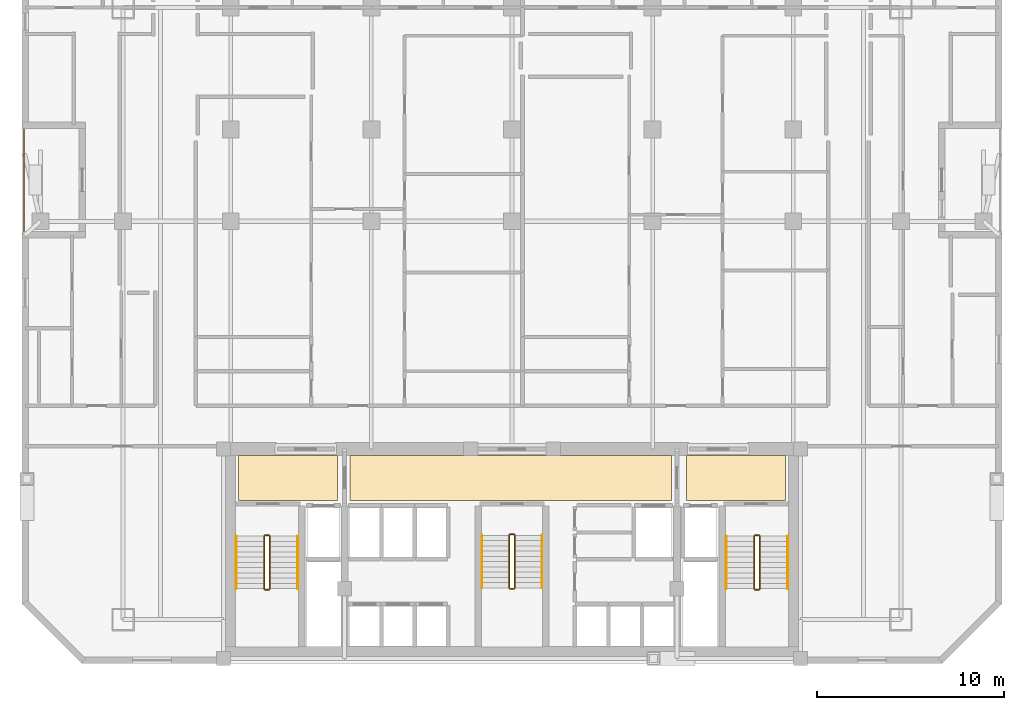
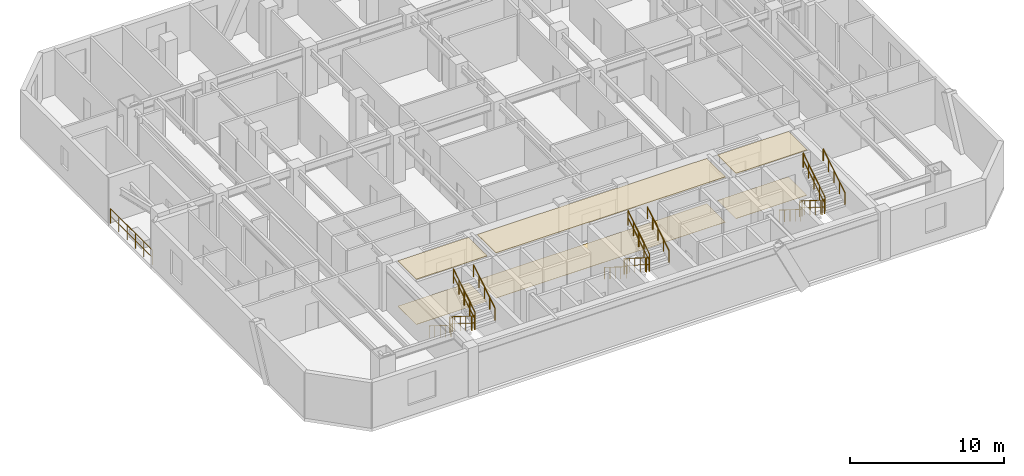
# One storey, part 9 of 10: 19 railings, 6 coverings.
"""IFC4 building model written with IfcOpenShell, lengths in metres."""

from ifc_helpers import new_model, si_unit, direction, frame, origin, origin_2d, place, context, subcontext, project, spatial, polyline, circle, outline, extrude, material, layer, layer_set, type_object, element, save


model = new_model("IFC4")

# Units and contexts
model_context = context("Model", 3, precision=1e-05, world=origin(), true_north=direction((0.0, 1.0)))
body_context = subcontext(model_context, "Body", "Model", "MODEL_VIEW")
ifc_project = project(units=[si_unit("LENGTHUNIT", "METRE"), si_unit("AREAUNIT", "SQUARE_METRE"), si_unit("VOLUMEUNIT", "CUBIC_METRE"), si_unit("PLANEANGLEUNIT", "RADIAN"), si_unit("MASSUNIT", "GRAM", prefix="KILO")], contexts=[model_context])

# Site, building, storey
site_placement = place(None, origin())
site = spatial("IfcSite", under=ifc_project, at=site_placement, CompositionType="ELEMENT")
building_placement = place(site_placement, origin())
building = spatial("IfcBuilding", under=site, at=building_placement, Name="Ventersveld Concourse Tower", CompositionType="ELEMENT")
storey_placement = place(building_placement, frame((0.0, 0.0, 104.14990234375)))
storey = spatial("IfcBuildingStorey", under=building, at=storey_placement, Name="L25", CompositionType="ELEMENT", Elevation=104.14990234375)

# Coverings
ifc_material_1 = material(Name="Mineral-fibre acoustic ceiling tile", Category="gypsum")
ifc_layer_1 = layer(ifc_material_1, 0.0400390625)
ifc_layer_set_1 = layer_set([ifc_layer_1], Name="Mineral-fibre acoustic ceiling tile")
covering_type_1 = type_object("IfcCoveringType", Name="COV-CEIL-ACOUSTIC", PredefinedType="CEILING", material=ifc_layer_set_1)
covering_1_placement = place(storey_placement, frame((0.0, 0.0, 3.56005859375)))
element("IfcCovering", 1, at=covering_1_placement, inside=storey, type_object=covering_type_1, Name="L25 North Lift Lobby Acoustic Ceiling", PredefinedType="CEILING", context=body_context, shape_type="SweptSolid", body=[
    extrude(outline(polyline([(20.10009765625, 8.699951171875), (37.25, 8.699951171875), (37.25, 11.10009765625), (20.10009765625, 11.10009765625), (20.10009765625, 8.699951171875)])), origin(), (0.0, 0.0, 1.0), 0.0400390625),
])
covering_2_placement = place(storey_placement, frame((0.0, 0.0, 3.56005859375)))
element("IfcCovering", 2, at=covering_2_placement, inside=storey, type_object=covering_type_1, Name="L25 West Firefighting Lobby Acoustic Ceiling", PredefinedType="CEILING", context=body_context, shape_type="SweptSolid", body=[
    extrude(outline(polyline([(14.14990234375, 8.699951171875), (19.449951171875, 8.699951171875), (19.449951171875, 11.10009765625), (14.14990234375, 11.10009765625), (14.14990234375, 8.699951171875)])), origin(), (0.0, 0.0, 1.0), 0.0400390625),
])
covering_3_placement = place(storey_placement, frame((0.0, 0.0, 3.56005859375)))
element("IfcCovering", 3, at=covering_3_placement, inside=storey, type_object=covering_type_1, Name="L25 East Firefighting Lobby Acoustic Ceiling", PredefinedType="CEILING", context=body_context, shape_type="SweptSolid", body=[
    extrude(outline(polyline([(38.050048828125, 8.699951171875), (43.35009765625, 8.699951171875), (43.35009765625, 11.10009765625), (38.050048828125, 11.10009765625), (38.050048828125, 8.699951171875)])), origin(), (0.0, 0.0, 1.0), 0.0400390625),
])
ifc_material_2 = material(Name="Polished Highveld granite terrazzo", Category="masonry")
ifc_layer_2 = layer(ifc_material_2, 0.02001953125)
ifc_layer_set_2 = layer_set([ifc_layer_2], Name="Polished Highveld granite terrazzo")
covering_type_2 = type_object("IfcCoveringType", Name="COV-FLOOR-TERRAZZO", PredefinedType="FLOORING", material=ifc_layer_set_2)
covering_4_placement = place(storey_placement, origin())
element("IfcCovering", 4, at=covering_4_placement, inside=storey, type_object=covering_type_2, Name="L25 North Lift Lobby Terrazzo Flooring", PredefinedType="FLOORING", context=body_context, shape_type="SweptSolid", body=[
    extrude(outline(polyline([(20.10009765625, 8.699951171875), (37.25, 8.699951171875), (37.25, 11.10009765625), (20.10009765625, 11.10009765625), (20.10009765625, 8.699951171875)])), origin(), (0.0, 0.0, 1.0), 0.02001953125),
])
covering_5_placement = place(storey_placement, origin())
element("IfcCovering", 5, at=covering_5_placement, inside=storey, type_object=covering_type_2, Name="L25 West Firefighting Lobby Terrazzo Flooring", PredefinedType="FLOORING", context=body_context, shape_type="SweptSolid", body=[
    extrude(outline(polyline([(14.14990234375, 8.699951171875), (19.449951171875, 8.699951171875), (19.449951171875, 11.10009765625), (14.14990234375, 11.10009765625), (14.14990234375, 8.699951171875)])), origin(), (0.0, 0.0, 1.0), 0.02001953125),
])
covering_6_placement = place(storey_placement, origin())
element("IfcCovering", 6, at=covering_6_placement, inside=storey, type_object=covering_type_2, Name="L25 East Firefighting Lobby Terrazzo Flooring", PredefinedType="FLOORING", context=body_context, shape_type="SweptSolid", body=[
    extrude(outline(polyline([(38.050048828125, 8.699951171875), (43.35009765625, 8.699951171875), (43.35009765625, 11.10009765625), (38.050048828125, 11.10009765625), (38.050048828125, 8.699951171875)])), origin(), (0.0, 0.0, 1.0), 0.02001953125),
])

# Railings
ifc_material_3 = material(Name="Brushed stainless steel 316", Category="steel")
railing_type_1 = type_object("IfcRailingType", Name="GD-BAL-115", PredefinedType="GUARDRAIL", material=ifc_material_3)
railing_1_placement = place(storey_placement, frame((15.530029296875, 6.800048828125, 0.175048828125)))
element("IfcRailing", 7, at=railing_1_placement, inside=storey, type_object=railing_type_1, Name="L25 ST-01 stair guard 1", PredefinedType="GUARDRAIL", context=body_context, shape_type="SweptSolid", body=[
    extrude(circle(Radius=0.02392578125, at=origin_2d()), frame((0.0, 0.0, 1.1259765625), z_axis=(0.0, -0.848002457836, 0.529992293815), x_axis=(1.0, 0.0, 0.0)), (0.0, 0.0, 1.0), 3.302001953125),
    extrude(circle(Radius=0.01611328125, at=origin_2d()), frame((0.0, 0.0, 0.574951171875), z_axis=(0.0, -0.848002457836, 0.529992293815), x_axis=(1.0, 0.0, 0.0)), (0.0, 0.0, 1.0), 3.302001953125),
    extrude(circle(Radius=0.02099609375, at=origin_2d()), origin(), (0.0, 0.0, 1.0), 1.101806640625),
    extrude(circle(Radius=0.02099609375, at=origin_2d()), frame((0.0, -0.699951171875, 0.4375)), (0.0, 0.0, 1.0), 1.101806640625),
    extrude(circle(Radius=0.02099609375, at=origin_2d()), frame((0.0, -1.39990234375, 0.875)), (0.0, 0.0, 1.0), 1.101806640625),
    extrude(circle(Radius=0.02099609375, at=origin_2d()), frame((0.0, -2.10009765625, 1.3125)), (0.0, 0.0, 1.0), 1.101806640625),
    extrude(circle(Radius=0.02099609375, at=origin_2d()), frame((0.0, -2.800048828125, 1.75)), (0.0, 0.0, 1.0), 1.101806640625),
])
railing_2_placement = place(storey_placement, frame((15.580078125, 3.949951171875, 1.925048828125)))
element("IfcRailing", 8, at=railing_2_placement, inside=storey, type_object=railing_type_1, Name="L25 ST-01 stair guard 2", PredefinedType="GUARDRAIL", context=body_context, shape_type="SweptSolid", body=[
    extrude(circle(Radius=0.02392578125, at=origin_2d()), frame((0.0, 0.0, 1.1259765625), z_axis=(1.0, 0.0, 0.0), x_axis=(0.0, 1.0, 0.0)), (0.0, 0.0, 1.0), 0.199951171875),
    extrude(circle(Radius=0.01611328125, at=origin_2d()), frame((0.0, 0.0, 0.574951171875), z_axis=(1.0, 0.0, 0.0), x_axis=(0.0, 1.0, 0.0)), (0.0, 0.0, 1.0), 0.199951171875),
    extrude(circle(Radius=0.02099609375, at=origin_2d()), origin(), (0.0, 0.0, 1.0), 1.101806640625),
    extrude(circle(Radius=0.02099609375, at=origin_2d()), frame((0.199951171875, 0.0, 0.0)), (0.0, 0.0, 1.0), 1.101806640625),
])
railing_3_placement = place(storey_placement, frame((15.830078125, 4.0, 2.10009765625)))
element("IfcRailing", 9, at=railing_3_placement, inside=storey, type_object=railing_type_1, Name="L25 ST-01 stair guard 3", PredefinedType="GUARDRAIL", context=body_context, shape_type="SweptSolid", body=[
    extrude(circle(Radius=0.02392578125, at=origin_2d()), frame((0.0, 0.0, 1.1259765625), z_axis=(0.0, 0.848002457836, 0.529992293815), x_axis=(-1.0, 0.0, 0.0)), (0.0, 0.0, 1.0), 3.302001953125),
    extrude(circle(Radius=0.01611328125, at=origin_2d()), frame((0.0, 0.0, 0.574951171875), z_axis=(0.0, 0.848002457836, 0.529992293815), x_axis=(-1.0, 0.0, 0.0)), (0.0, 0.0, 1.0), 3.302001953125),
    extrude(circle(Radius=0.02099609375, at=origin_2d()), origin(), (0.0, 0.0, 1.0), 1.101806640625),
    extrude(circle(Radius=0.02099609375, at=origin_2d()), frame((0.0, 0.699951171875, 0.4375)), (0.0, 0.0, 1.0), 1.101806640625),
    extrude(circle(Radius=0.02099609375, at=origin_2d()), frame((0.0, 1.39990234375, 0.875)), (0.0, 0.0, 1.0), 1.101806640625),
    extrude(circle(Radius=0.02099609375, at=origin_2d()), frame((0.0, 2.10009765625, 1.3125)), (0.0, 0.0, 1.0), 1.101806640625),
    extrude(circle(Radius=0.02099609375, at=origin_2d()), frame((0.0, 2.800048828125, 1.75)), (0.0, 0.0, 1.0), 1.101806640625),
])
railing_4_placement = place(storey_placement, frame((15.580078125, 6.85009765625, 0.0)))
element("IfcRailing", 10, at=railing_4_placement, inside=storey, type_object=railing_type_1, Name="L25 ST-01 stair guard 4", PredefinedType="GUARDRAIL", context=body_context, shape_type="SweptSolid", body=[
    extrude(circle(Radius=0.02392578125, at=origin_2d()), frame((0.0, 0.0, 1.1259765625), z_axis=(1.0, 0.0, 0.0), x_axis=(0.0, 1.0, 0.0)), (0.0, 0.0, 1.0), 0.199951171875),
    extrude(circle(Radius=0.01611328125, at=origin_2d()), frame((0.0, 0.0, 0.574951171875), z_axis=(1.0, 0.0, 0.0), x_axis=(0.0, 1.0, 0.0)), (0.0, 0.0, 1.0), 0.199951171875),
    extrude(circle(Radius=0.02099609375, at=origin_2d()), origin(), (0.0, 0.0, 1.0), 1.101806640625),
    extrude(circle(Radius=0.02099609375, at=origin_2d()), frame((0.199951171875, 0.0, 0.0)), (0.0, 0.0, 1.0), 1.101806640625),
])
railing_5_placement = place(storey_placement, frame((41.669921875, 6.800048828125, 0.175048828125)))
element("IfcRailing", 11, at=railing_5_placement, inside=storey, type_object=railing_type_1, Name="L25 ST-02 stair guard 1", PredefinedType="GUARDRAIL", context=body_context, shape_type="SweptSolid", body=[
    extrude(circle(Radius=0.02392578125, at=origin_2d()), frame((0.0, 0.0, 1.1259765625), z_axis=(0.0, -0.848002457836, 0.529992293815), x_axis=(1.0, 0.0, 0.0)), (0.0, 0.0, 1.0), 3.302001953125),
    extrude(circle(Radius=0.01611328125, at=origin_2d()), frame((0.0, 0.0, 0.574951171875), z_axis=(0.0, -0.848002457836, 0.529992293815), x_axis=(1.0, 0.0, 0.0)), (0.0, 0.0, 1.0), 3.302001953125),
    extrude(circle(Radius=0.02099609375, at=origin_2d()), origin(), (0.0, 0.0, 1.0), 1.101806640625),
    extrude(circle(Radius=0.02099609375, at=origin_2d()), frame((0.0, -0.699951171875, 0.4375)), (0.0, 0.0, 1.0), 1.101806640625),
    extrude(circle(Radius=0.02099609375, at=origin_2d()), frame((0.0, -1.39990234375, 0.875)), (0.0, 0.0, 1.0), 1.101806640625),
    extrude(circle(Radius=0.02099609375, at=origin_2d()), frame((0.0, -2.10009765625, 1.3125)), (0.0, 0.0, 1.0), 1.101806640625),
    extrude(circle(Radius=0.02099609375, at=origin_2d()), frame((0.0, -2.800048828125, 1.75)), (0.0, 0.0, 1.0), 1.101806640625),
])
railing_6_placement = place(storey_placement, frame((41.719970703125, 3.949951171875, 1.925048828125)))
element("IfcRailing", 12, at=railing_6_placement, inside=storey, type_object=railing_type_1, Name="L25 ST-02 stair guard 2", PredefinedType="GUARDRAIL", context=body_context, shape_type="SweptSolid", body=[
    extrude(circle(Radius=0.02392578125, at=origin_2d()), frame((0.0, 0.0, 1.1259765625), z_axis=(1.0, 0.0, 0.0), x_axis=(0.0, 1.0, 0.0)), (0.0, 0.0, 1.0), 0.199951171875),
    extrude(circle(Radius=0.01611328125, at=origin_2d()), frame((0.0, 0.0, 0.574951171875), z_axis=(1.0, 0.0, 0.0), x_axis=(0.0, 1.0, 0.0)), (0.0, 0.0, 1.0), 0.199951171875),
    extrude(circle(Radius=0.02099609375, at=origin_2d()), origin(), (0.0, 0.0, 1.0), 1.101806640625),
    extrude(circle(Radius=0.02099609375, at=origin_2d()), frame((0.199951171875, 0.0, 0.0)), (0.0, 0.0, 1.0), 1.101806640625),
])
railing_7_placement = place(storey_placement, frame((41.969970703125, 4.0, 2.10009765625)))
element("IfcRailing", 13, at=railing_7_placement, inside=storey, type_object=railing_type_1, Name="L25 ST-02 stair guard 3", PredefinedType="GUARDRAIL", context=body_context, shape_type="SweptSolid", body=[
    extrude(circle(Radius=0.02392578125, at=origin_2d()), frame((0.0, 0.0, 1.1259765625), z_axis=(0.0, 0.848002457836, 0.529992293815), x_axis=(-1.0, 0.0, 0.0)), (0.0, 0.0, 1.0), 3.302001953125),
    extrude(circle(Radius=0.01611328125, at=origin_2d()), frame((0.0, 0.0, 0.574951171875), z_axis=(0.0, 0.848002457836, 0.529992293815), x_axis=(-1.0, 0.0, 0.0)), (0.0, 0.0, 1.0), 3.302001953125),
    extrude(circle(Radius=0.02099609375, at=origin_2d()), origin(), (0.0, 0.0, 1.0), 1.101806640625),
    extrude(circle(Radius=0.02099609375, at=origin_2d()), frame((0.0, 0.699951171875, 0.4375)), (0.0, 0.0, 1.0), 1.101806640625),
    extrude(circle(Radius=0.02099609375, at=origin_2d()), frame((0.0, 1.39990234375, 0.875)), (0.0, 0.0, 1.0), 1.101806640625),
    extrude(circle(Radius=0.02099609375, at=origin_2d()), frame((0.0, 2.10009765625, 1.3125)), (0.0, 0.0, 1.0), 1.101806640625),
    extrude(circle(Radius=0.02099609375, at=origin_2d()), frame((0.0, 2.800048828125, 1.75)), (0.0, 0.0, 1.0), 1.101806640625),
])
railing_8_placement = place(storey_placement, frame((41.719970703125, 6.85009765625, 0.0)))
element("IfcRailing", 14, at=railing_8_placement, inside=storey, type_object=railing_type_1, Name="L25 ST-02 stair guard 4", PredefinedType="GUARDRAIL", context=body_context, shape_type="SweptSolid", body=[
    extrude(circle(Radius=0.02392578125, at=origin_2d()), frame((0.0, 0.0, 1.1259765625), z_axis=(1.0, 0.0, 0.0), x_axis=(0.0, 1.0, 0.0)), (0.0, 0.0, 1.0), 0.199951171875),
    extrude(circle(Radius=0.01611328125, at=origin_2d()), frame((0.0, 0.0, 0.574951171875), z_axis=(1.0, 0.0, 0.0), x_axis=(0.0, 1.0, 0.0)), (0.0, 0.0, 1.0), 0.199951171875),
    extrude(circle(Radius=0.02099609375, at=origin_2d()), origin(), (0.0, 0.0, 1.0), 1.101806640625),
    extrude(circle(Radius=0.02099609375, at=origin_2d()), frame((0.199951171875, 0.0, 0.0)), (0.0, 0.0, 1.0), 1.101806640625),
])
railing_9_placement = place(storey_placement, frame((28.60009765625, 6.85009765625, 0.175048828125)))
element("IfcRailing", 15, at=railing_9_placement, inside=storey, type_object=railing_type_1, Name="L25 ST-03 stair guard 1", PredefinedType="GUARDRAIL", context=body_context, shape_type="SweptSolid", body=[
    extrude(circle(Radius=0.02392578125, at=origin_2d()), frame((0.0, 0.0, 1.1259765625), z_axis=(0.0, -0.848002457836, 0.529992293815), x_axis=(1.0, 0.0, 0.0)), (0.0, 0.0, 1.0), 3.302001953125),
    extrude(circle(Radius=0.01611328125, at=origin_2d()), frame((0.0, 0.0, 0.574951171875), z_axis=(0.0, -0.848002457836, 0.529992293815), x_axis=(1.0, 0.0, 0.0)), (0.0, 0.0, 1.0), 3.302001953125),
    extrude(circle(Radius=0.02099609375, at=origin_2d()), origin(), (0.0, 0.0, 1.0), 1.101806640625),
    extrude(circle(Radius=0.02099609375, at=origin_2d()), frame((0.0, -0.699951171875, 0.4375)), (0.0, 0.0, 1.0), 1.101806640625),
    extrude(circle(Radius=0.02099609375, at=origin_2d()), frame((0.0, -1.39990234375, 0.875)), (0.0, 0.0, 1.0), 1.101806640625),
    extrude(circle(Radius=0.02099609375, at=origin_2d()), frame((0.0, -2.10009765625, 1.3125)), (0.0, 0.0, 1.0), 1.101806640625),
    extrude(circle(Radius=0.02099609375, at=origin_2d()), frame((0.0, -2.800048828125, 1.75)), (0.0, 0.0, 1.0), 1.101806640625),
])
railing_10_placement = place(storey_placement, frame((28.64990234375, 4.0, 1.925048828125)))
element("IfcRailing", 16, at=railing_10_placement, inside=storey, type_object=railing_type_1, Name="L25 ST-03 stair guard 2", PredefinedType="GUARDRAIL", context=body_context, shape_type="SweptSolid", body=[
    extrude(circle(Radius=0.02392578125, at=origin_2d()), frame((0.0, 0.0, 1.1259765625), z_axis=(1.0, 0.0, 0.0), x_axis=(0.0, 1.0, 0.0)), (0.0, 0.0, 1.0), 0.2001953125),
    extrude(circle(Radius=0.01611328125, at=origin_2d()), frame((0.0, 0.0, 0.574951171875), z_axis=(1.0, 0.0, 0.0), x_axis=(0.0, 1.0, 0.0)), (0.0, 0.0, 1.0), 0.2001953125),
    extrude(circle(Radius=0.02099609375, at=origin_2d()), origin(), (0.0, 0.0, 1.0), 1.101806640625),
    extrude(circle(Radius=0.02099609375, at=origin_2d()), frame((0.2001953125, 0.0, 0.0)), (0.0, 0.0, 1.0), 1.101806640625),
])
railing_11_placement = place(storey_placement, frame((28.89990234375, 4.050048828125, 2.10009765625)))
element("IfcRailing", 17, at=railing_11_placement, inside=storey, type_object=railing_type_1, Name="L25 ST-03 stair guard 3", PredefinedType="GUARDRAIL", context=body_context, shape_type="SweptSolid", body=[
    extrude(circle(Radius=0.02392578125, at=origin_2d()), frame((0.0, 0.0, 1.1259765625), z_axis=(0.0, 0.848002457836, 0.529992293815), x_axis=(-1.0, 0.0, 0.0)), (0.0, 0.0, 1.0), 3.302001953125),
    extrude(circle(Radius=0.01611328125, at=origin_2d()), frame((0.0, 0.0, 0.574951171875), z_axis=(0.0, 0.848002457836, 0.529992293815), x_axis=(-1.0, 0.0, 0.0)), (0.0, 0.0, 1.0), 3.302001953125),
    extrude(circle(Radius=0.02099609375, at=origin_2d()), origin(), (0.0, 0.0, 1.0), 1.101806640625),
    extrude(circle(Radius=0.02099609375, at=origin_2d()), frame((0.0, 0.699951171875, 0.4375)), (0.0, 0.0, 1.0), 1.101806640625),
    extrude(circle(Radius=0.02099609375, at=origin_2d()), frame((0.0, 1.39990234375, 0.875)), (0.0, 0.0, 1.0), 1.101806640625),
    extrude(circle(Radius=0.02099609375, at=origin_2d()), frame((0.0, 2.10009765625, 1.3125)), (0.0, 0.0, 1.0), 1.101806640625),
    extrude(circle(Radius=0.02099609375, at=origin_2d()), frame((0.0, 2.800048828125, 1.75)), (0.0, 0.0, 1.0), 1.101806640625),
])
railing_12_placement = place(storey_placement, frame((28.64990234375, 6.89990234375, 0.0)))
element("IfcRailing", 18, at=railing_12_placement, inside=storey, type_object=railing_type_1, Name="L25 ST-03 stair guard 4", PredefinedType="GUARDRAIL", context=body_context, shape_type="SweptSolid", body=[
    extrude(circle(Radius=0.02392578125, at=origin_2d()), frame((0.0, 0.0, 1.1259765625), z_axis=(1.0, 0.0, 0.0), x_axis=(0.0, 1.0, 0.0)), (0.0, 0.0, 1.0), 0.2001953125),
    extrude(circle(Radius=0.01611328125, at=origin_2d()), frame((0.0, 0.0, 0.574951171875), z_axis=(1.0, 0.0, 0.0), x_axis=(0.0, 1.0, 0.0)), (0.0, 0.0, 1.0), 0.2001953125),
    extrude(circle(Radius=0.02099609375, at=origin_2d()), origin(), (0.0, 0.0, 1.0), 1.101806640625),
    extrude(circle(Radius=0.02099609375, at=origin_2d()), frame((0.2001953125, 0.0, 0.0)), (0.0, 0.0, 1.0), 1.101806640625),
])
railing_type_2 = type_object("IfcRailingType", Name="GD-TER-120", PredefinedType="GUARDRAIL", material=ifc_material_3)
railing_13_placement = place(storey_placement, frame((2.719970703125, 23.10009765625, 0.0)))
element("IfcRailing", 19, at=railing_13_placement, inside=storey, type_object=railing_type_2, Name="L25 Outdoor Terrace Guardrail NOTCH-W", PredefinedType="GUARDRAIL", context=body_context, shape_type="SweptSolid", body=[
    extrude(circle(Radius=0.02392578125, at=origin_2d()), frame((0.0, 0.0, 1.17578125), z_axis=(0.0, 1.0, 0.0), x_axis=(-1.0, 0.0, 0.0)), (0.0, 0.0, 1.0), 5.39990234375),
    extrude(circle(Radius=0.01611328125, at=origin_2d()), frame((0.0, 0.0, 0.60009765625), z_axis=(0.0, 1.0, 0.0), x_axis=(-1.0, 0.0, 0.0)), (0.0, 0.0, 1.0), 5.39990234375),
    extrude(circle(Radius=0.02099609375, at=origin_2d()), origin(), (0.0, 0.0, 1.0), 1.15185546875),
    extrude(circle(Radius=0.02099609375, at=origin_2d()), frame((0.0, 1.080078125, 0.0)), (0.0, 0.0, 1.0), 1.15185546875),
    extrude(circle(Radius=0.02099609375, at=origin_2d()), frame((0.0, 2.159912109375, 0.0)), (0.0, 0.0, 1.0), 1.15185546875),
    extrude(circle(Radius=0.02099609375, at=origin_2d()), frame((0.0, 3.239990234375, 0.0)), (0.0, 0.0, 1.0), 1.15185546875),
    extrude(circle(Radius=0.02099609375, at=origin_2d()), frame((0.0, 4.31982421875, 0.0)), (0.0, 0.0, 1.0), 1.15185546875),
    extrude(circle(Radius=0.02099609375, at=origin_2d()), frame((0.0, 5.39990234375, 0.0)), (0.0, 0.0, 1.0), 1.15185546875),
])
railing_type_3 = type_object("IfcRailingType", Name="HR-RMP-095", PredefinedType="HANDRAIL", material=ifc_material_3)
railing_14_placement = place(storey_placement, frame((14.030029296875, 6.800048828125, 0.175048828125)))
element("IfcRailing", 20, at=railing_14_placement, inside=storey, type_object=railing_type_3, Name="L25 ST-01 stair handrail 1", PredefinedType="HANDRAIL", context=body_context, shape_type="SweptSolid", body=[
    extrude(circle(Radius=0.02392578125, at=origin_2d()), frame((0.0, 0.0, 0.92578125), z_axis=(0.0, -0.848002457836, 0.529992293815), x_axis=(1.0, 0.0, 0.0)), (0.0, 0.0, 1.0), 3.302001953125),
    extrude(circle(Radius=0.02099609375, at=origin_2d()), origin(), (0.0, 0.0, 1.0), 0.90185546875),
    extrude(circle(Radius=0.02099609375, at=origin_2d()), frame((0.0, -0.699951171875, 0.4375)), (0.0, 0.0, 1.0), 0.90185546875),
    extrude(circle(Radius=0.02099609375, at=origin_2d()), frame((0.0, -1.39990234375, 0.875)), (0.0, 0.0, 1.0), 0.90185546875),
    extrude(circle(Radius=0.02099609375, at=origin_2d()), frame((0.0, -2.10009765625, 1.3125)), (0.0, 0.0, 1.0), 0.90185546875),
    extrude(circle(Radius=0.02099609375, at=origin_2d()), frame((0.0, -2.800048828125, 1.75)), (0.0, 0.0, 1.0), 0.90185546875),
])
railing_15_placement = place(storey_placement, frame((17.330078125, 4.0, 2.10009765625)))
element("IfcRailing", 21, at=railing_15_placement, inside=storey, type_object=railing_type_3, Name="L25 ST-01 stair handrail 2", PredefinedType="HANDRAIL", context=body_context, shape_type="SweptSolid", body=[
    extrude(circle(Radius=0.02392578125, at=origin_2d()), frame((0.0, 0.0, 0.92578125), z_axis=(0.0, 0.848002457836, 0.529992293815), x_axis=(-1.0, 0.0, 0.0)), (0.0, 0.0, 1.0), 3.302001953125),
    extrude(circle(Radius=0.02099609375, at=origin_2d()), origin(), (0.0, 0.0, 1.0), 0.90185546875),
    extrude(circle(Radius=0.02099609375, at=origin_2d()), frame((0.0, 0.699951171875, 0.4375)), (0.0, 0.0, 1.0), 0.90185546875),
    extrude(circle(Radius=0.02099609375, at=origin_2d()), frame((0.0, 1.39990234375, 0.875)), (0.0, 0.0, 1.0), 0.90185546875),
    extrude(circle(Radius=0.02099609375, at=origin_2d()), frame((0.0, 2.10009765625, 1.3125)), (0.0, 0.0, 1.0), 0.90185546875),
    extrude(circle(Radius=0.02099609375, at=origin_2d()), frame((0.0, 2.800048828125, 1.75)), (0.0, 0.0, 1.0), 0.90185546875),
])
railing_16_placement = place(storey_placement, frame((40.169921875, 6.800048828125, 0.175048828125)))
element("IfcRailing", 22, at=railing_16_placement, inside=storey, type_object=railing_type_3, Name="L25 ST-02 stair handrail 1", PredefinedType="HANDRAIL", context=body_context, shape_type="SweptSolid", body=[
    extrude(circle(Radius=0.02392578125, at=origin_2d()), frame((0.0, 0.0, 0.92578125), z_axis=(0.0, -0.848002457836, 0.529992293815), x_axis=(1.0, 0.0, 0.0)), (0.0, 0.0, 1.0), 3.302001953125),
    extrude(circle(Radius=0.02099609375, at=origin_2d()), origin(), (0.0, 0.0, 1.0), 0.90185546875),
    extrude(circle(Radius=0.02099609375, at=origin_2d()), frame((0.0, -0.699951171875, 0.4375)), (0.0, 0.0, 1.0), 0.90185546875),
    extrude(circle(Radius=0.02099609375, at=origin_2d()), frame((0.0, -1.39990234375, 0.875)), (0.0, 0.0, 1.0), 0.90185546875),
    extrude(circle(Radius=0.02099609375, at=origin_2d()), frame((0.0, -2.10009765625, 1.3125)), (0.0, 0.0, 1.0), 0.90185546875),
    extrude(circle(Radius=0.02099609375, at=origin_2d()), frame((0.0, -2.800048828125, 1.75)), (0.0, 0.0, 1.0), 0.90185546875),
])
railing_17_placement = place(storey_placement, frame((43.469970703125, 4.0, 2.10009765625)))
element("IfcRailing", 23, at=railing_17_placement, inside=storey, type_object=railing_type_3, Name="L25 ST-02 stair handrail 2", PredefinedType="HANDRAIL", context=body_context, shape_type="SweptSolid", body=[
    extrude(circle(Radius=0.02392578125, at=origin_2d()), frame((0.0, 0.0, 0.92578125), z_axis=(0.0, 0.848002457836, 0.529992293815), x_axis=(-1.0, 0.0, 0.0)), (0.0, 0.0, 1.0), 3.302001953125),
    extrude(circle(Radius=0.02099609375, at=origin_2d()), origin(), (0.0, 0.0, 1.0), 0.90185546875),
    extrude(circle(Radius=0.02099609375, at=origin_2d()), frame((0.0, 0.699951171875, 0.4375)), (0.0, 0.0, 1.0), 0.90185546875),
    extrude(circle(Radius=0.02099609375, at=origin_2d()), frame((0.0, 1.39990234375, 0.875)), (0.0, 0.0, 1.0), 0.90185546875),
    extrude(circle(Radius=0.02099609375, at=origin_2d()), frame((0.0, 2.10009765625, 1.3125)), (0.0, 0.0, 1.0), 0.90185546875),
    extrude(circle(Radius=0.02099609375, at=origin_2d()), frame((0.0, 2.800048828125, 1.75)), (0.0, 0.0, 1.0), 0.90185546875),
])
railing_18_placement = place(storey_placement, frame((27.14990234375, 6.85009765625, 0.175048828125)))
element("IfcRailing", 24, at=railing_18_placement, inside=storey, type_object=railing_type_3, Name="L25 ST-03 stair handrail 1", PredefinedType="HANDRAIL", context=body_context, shape_type="SweptSolid", body=[
    extrude(circle(Radius=0.02392578125, at=origin_2d()), frame((0.0, 0.0, 0.92578125), z_axis=(0.0, -0.848002457836, 0.529992293815), x_axis=(1.0, 0.0, 0.0)), (0.0, 0.0, 1.0), 3.302001953125),
    extrude(circle(Radius=0.02099609375, at=origin_2d()), origin(), (0.0, 0.0, 1.0), 0.90185546875),
    extrude(circle(Radius=0.02099609375, at=origin_2d()), frame((0.0, -0.699951171875, 0.4375)), (0.0, 0.0, 1.0), 0.90185546875),
    extrude(circle(Radius=0.02099609375, at=origin_2d()), frame((0.0, -1.39990234375, 0.875)), (0.0, 0.0, 1.0), 0.90185546875),
    extrude(circle(Radius=0.02099609375, at=origin_2d()), frame((0.0, -2.10009765625, 1.3125)), (0.0, 0.0, 1.0), 0.90185546875),
    extrude(circle(Radius=0.02099609375, at=origin_2d()), frame((0.0, -2.800048828125, 1.75)), (0.0, 0.0, 1.0), 0.90185546875),
])
railing_19_placement = place(storey_placement, frame((30.35009765625, 4.050048828125, 2.10009765625)))
element("IfcRailing", 25, at=railing_19_placement, inside=storey, type_object=railing_type_3, Name="L25 ST-03 stair handrail 2", PredefinedType="HANDRAIL", context=body_context, shape_type="SweptSolid", body=[
    extrude(circle(Radius=0.02392578125, at=origin_2d()), frame((0.0, 0.0, 0.92578125), z_axis=(0.0, 0.848002457836, 0.529992293815), x_axis=(-1.0, 0.0, 0.0)), (0.0, 0.0, 1.0), 3.302001953125),
    extrude(circle(Radius=0.02099609375, at=origin_2d()), origin(), (0.0, 0.0, 1.0), 0.90185546875),
    extrude(circle(Radius=0.02099609375, at=origin_2d()), frame((0.0, 0.699951171875, 0.4375)), (0.0, 0.0, 1.0), 0.90185546875),
    extrude(circle(Radius=0.02099609375, at=origin_2d()), frame((0.0, 1.39990234375, 0.875)), (0.0, 0.0, 1.0), 0.90185546875),
    extrude(circle(Radius=0.02099609375, at=origin_2d()), frame((0.0, 2.10009765625, 1.3125)), (0.0, 0.0, 1.0), 0.90185546875),
    extrude(circle(Radius=0.02099609375, at=origin_2d()), frame((0.0, 2.800048828125, 1.75)), (0.0, 0.0, 1.0), 0.90185546875),
])

save(model, "model.ifc")
